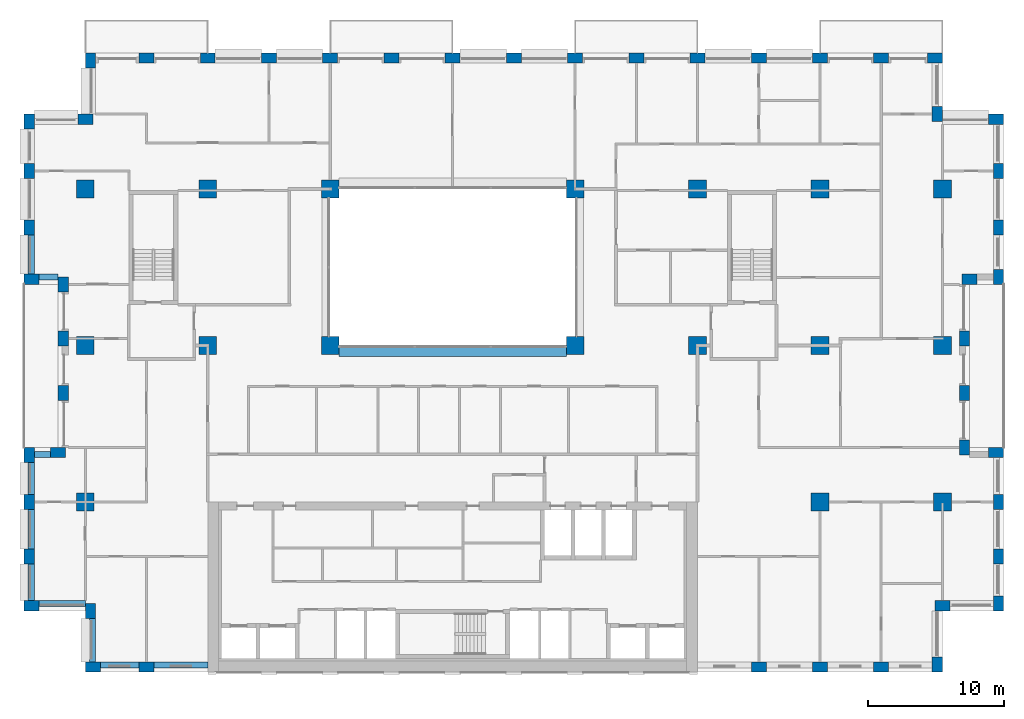
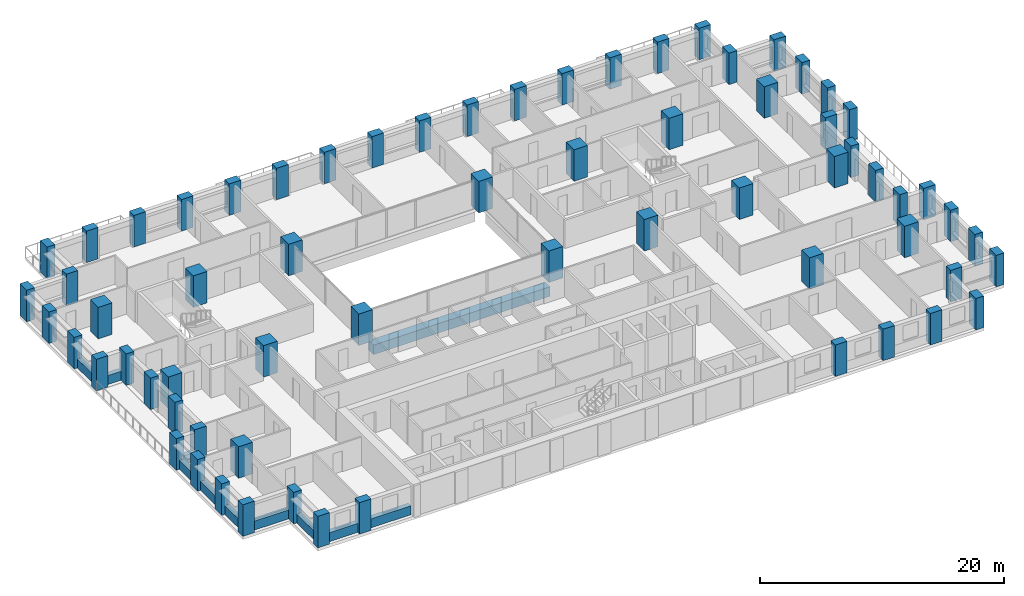
# One storey, part 1 of 16: 66 columns, 11 beams.
"""IFC4 building model written with IfcOpenShell, lengths in metres."""

from ifc_helpers import new_model, si_unit, direction, frame, origin, origin_2d, place, context, subcontext, project, spatial, rectangle, extrude, material, material_profile, profile_set, type_object, element, save


model = new_model("IFC4")

# Units and contexts
model_context = context("Model", 3, precision=1e-05, world=origin(), true_north=direction((0.0, 1.0)))
body_context = subcontext(model_context, "Body", "Model", "MODEL_VIEW")
ifc_project = project(units=[si_unit("LENGTHUNIT", "METRE"), si_unit("AREAUNIT", "SQUARE_METRE"), si_unit("VOLUMEUNIT", "CUBIC_METRE"), si_unit("PLANEANGLEUNIT", "RADIAN"), si_unit("MASSUNIT", "GRAM", prefix="KILO")], contexts=[model_context])

# Site, building, storey
site_placement = place(None, origin())
site = spatial("IfcSite", under=ifc_project, at=site_placement, CompositionType="ELEMENT")
building_placement = place(site_placement, origin())
building = spatial("IfcBuilding", under=site, at=building_placement, Name="Brigalow Station Residences", CompositionType="ELEMENT")
storey_placement = place(building_placement, frame((0.0, 0.0, 108.75)))
storey = spatial("IfcBuildingStorey", under=building, at=storey_placement, Name="L31", CompositionType="ELEMENT", Elevation=108.75)

# Columns
ifc_material_1 = material(Name="Concrete C65", Category="concrete")
ifc_material_profile_1 = material_profile(ifc_material_1, rectangle(XDim=1.300048828125, YDim=1.300048828125, at=origin_2d()), Name="RC1300x1300")
ifc_profile_set_1 = profile_set([ifc_material_profile_1], Name="Concrete C65")
column_type_1 = type_object("IfcColumnType", Name="COLUMN 1300x1300 C65", PredefinedType="COLUMN", material=ifc_profile_set_1)
for number, where, z_axis, x_axis, name in (
    (1, (9.0, 24.0, 0.0), (0.0, 0.0, 1.0), (1.0, 0.0, 0.0), "COLUMN C1 L31"),
    (2, (18.0, 24.0, 0.0), (0.0, 0.0, 1.0), (1.0, 0.0, 0.0), "COLUMN C2 L31"),
    (3, (27.0, 24.0, 0.0), (0.0, 0.0, 1.0), (1.0, 0.0, 0.0), "COLUMN C3 L31"),
    (4, (45.0, 24.0, 0.0), (0.0, 0.0, 1.0), (1.0, 0.0, 0.0), "COLUMN C5 L31"),
    (5, (54.0, 24.0, 0.0), (0.0, 0.0, 1.0), (1.0, 0.0, 0.0), "COLUMN C6 L31"),
    (6, (63.0, 24.0, 0.0), (0.0, 0.0, 1.0), (1.0, 0.0, 0.0), "COLUMN C7 L31"),
    (7, (72.0, 24.0, 0.0), (0.0, 0.0, 1.0), (1.0, 0.0, 0.0), "COLUMN C8 L31"),
    (8, (9.0, 35.5, 0.0), (0.0, 0.0, 1.0), (1.0, 0.0, 0.0), "COLUMN D1 L31"),
    (9, (18.0, 35.5, 0.0), (0.0, 0.0, 1.0), (1.0, 0.0, 0.0), "COLUMN D2 L31"),
    (10, (27.0, 35.5, 0.0), (0.0, 0.0, 1.0), (1.0, 0.0, 0.0), "COLUMN D3 L31"),
    (11, (45.0, 35.5, 0.0), (0.0, 0.0, 1.0), (1.0, 0.0, 0.0), "COLUMN D5 L31"),
    (12, (54.0, 35.5, 0.0), (0.0, 0.0, 1.0), (1.0, 0.0, 0.0), "COLUMN D6 L31"),
    (13, (63.0, 35.5, 0.0), (0.0, 0.0, 1.0), (1.0, 0.0, 0.0), "COLUMN D7 L31"),
    (14, (72.0, 35.5, 0.0), (0.0, 0.0, 1.0), (1.0, 0.0, 0.0), "COLUMN D8 L31"),
    (15, (9.0, 12.5, 0.0), (0.0, 0.0, 1.0), (1.0, 0.0, 0.0), "COLUMN B1 L31"),
    (16, (63.0, 12.5, 0.0), (0.0, 0.0, 1.0), (1.0, 0.0, 0.0), "COLUMN B7 L31"),
    (17, (72.0, 12.5, 0.0), (0.0, 0.0, 1.0), (1.0, 0.0, 0.0), "COLUMN B8 L31"),
):
    element("IfcColumn", number, at=place(storey_placement, frame(where, z_axis=z_axis, x_axis=x_axis)), inside=storey, type_object=column_type_1, Name=name, PredefinedType="COLUMN", context=body_context, shape_type="SweptSolid", body=[
        extrude(rectangle(XDim=1.300048828125, YDim=1.300048828125, at=origin_2d()), origin(), (0.0, 0.0, 1.0), 3.14990234375),
    ])
ifc_material_2 = material(Name="Concrete C65", Category="concrete")
ifc_material_profile_2 = material_profile(ifc_material_2, rectangle(XDim=1.10009765625, YDim=0.75, at=origin_2d()), Name="RC1100x750")
ifc_profile_set_2 = profile_set([ifc_material_profile_2], Name="Concrete C65")
column_type_2 = type_object("IfcColumnType", Name="PIER 1100x750 C65", PredefinedType="USERDEFINED", material=ifc_profile_set_2)
for number, where, z_axis, x_axis, name in (
    (18, (9.550048828125, 0.375, 0.0), (0.0, 0.0, 1.0), (1.0, 0.0, 0.0), "PIER S-1 L31"),
    (19, (13.5, 0.375, 0.0), (0.0, 0.0, 1.0), (1.0, 0.0, 0.0), "PIER S-2 L31"),
    (20, (58.5, 0.375, 0.0), (0.0, 0.0, 1.0), (1.0, 0.0, 0.0), "PIER S-12 L31"),
    (21, (63.0, 0.375, 0.0), (0.0, 0.0, 1.0), (1.0, 0.0, 0.0), "PIER S-13 L31"),
    (22, (67.5, 0.375, 0.0), (0.0, 0.0, 1.0), (1.0, 0.0, 0.0), "PIER S-14 L31"),
    (23, (71.625, 0.550048828125, 0.0), (0.0, 0.0, 1.0), (0.0, 1.0, 0.0), "PIER SE1-1 L31"),
    (24, (72.0, 4.875, 0.0), (0.0, 0.0, 1.0), (1.0, 0.0, 0.0), "PIER SE2-1 L31"),
    (25, (76.125, 5.050048828125, 0.0), (0.0, 0.0, 1.0), (0.0, 1.0, 0.0), "PIER E1-1 L31"),
    (26, (76.125, 8.5, 0.0), (0.0, 0.0, 1.0), (0.0, 1.0, 0.0), "PIER E1-2 L31"),
    (27, (76.125, 12.5, 0.0), (0.0, 0.0, 1.0), (0.0, 1.0, 0.0), "PIER E1-3 L31"),
    (28, (75.949951171875, 16.125, 0.0), (0.0, 0.0, 1.0), (-1.0, 0.0, 0.0), "PIER EL1-1 L31"),
    (29, (73.625, 16.5, 0.0), (0.0, 0.0, 1.0), (0.0, 1.0, 0.0), "PIER EL2-1 L31"),
    (30, (73.625, 20.5, 0.0), (0.0, 0.0, 1.0), (0.0, 1.0, 0.0), "PIER EL2-2 L31"),
    (31, (73.625, 24.5, 0.0), (0.0, 0.0, 1.0), (0.0, 1.0, 0.0), "PIER EL2-3 L31"),
    (32, (74.0, 28.875, 0.0), (0.0, 0.0, 1.0), (1.0, 0.0, 0.0), "PIER EL3-1 L31"),
    (33, (76.125, 29.050048828125, 0.0), (0.0, 0.0, 1.0), (0.0, 1.0, 0.0), "PIER E2-1 L31"),
    (34, (76.125, 32.6669921875, 0.0), (0.0, 0.0, 1.0), (0.0, 1.0, 0.0), "PIER E2-2 L31"),
    (35, (76.125, 36.8330078125, 0.0), (0.0, 0.0, 1.0), (0.0, 1.0, 0.0), "PIER E2-3 L31"),
    (36, (75.949951171875, 40.625, 0.0), (0.0, 0.0, 1.0), (-1.0, 0.0, 0.0), "PIER NE1-1 L31"),
    (37, (71.625, 41.0, 0.0), (0.0, 0.0, 1.0), (0.0, 1.0, 0.0), "PIER NE2-1 L31"),
    (38, (71.449951171875, 45.125, 0.0), (0.0, 0.0, 1.0), (-1.0, 0.0, 0.0), "PIER N-1 L31"),
    (39, (67.5, 45.125, 0.0), (0.0, 0.0, 1.0), (-1.0, 0.0, 0.0), "PIER N-2 L31"),
    (40, (63.0, 45.125, 0.0), (0.0, 0.0, 1.0), (-1.0, 0.0, 0.0), "PIER N-3 L31"),
    (41, (58.5, 45.125, 0.0), (0.0, 0.0, 1.0), (-1.0, 0.0, 0.0), "PIER N-4 L31"),
    (42, (54.0, 45.125, 0.0), (0.0, 0.0, 1.0), (-1.0, 0.0, 0.0), "PIER N-5 L31"),
    (43, (49.5, 45.125, 0.0), (0.0, 0.0, 1.0), (-1.0, 0.0, 0.0), "PIER N-6 L31"),
    (44, (45.0, 45.125, 0.0), (0.0, 0.0, 1.0), (-1.0, 0.0, 0.0), "PIER N-7 L31"),
    (45, (40.5, 45.125, 0.0), (0.0, 0.0, 1.0), (-1.0, 0.0, 0.0), "PIER N-8 L31"),
    (46, (36.0, 45.125, 0.0), (0.0, 0.0, 1.0), (-1.0, 0.0, 0.0), "PIER N-9 L31"),
    (47, (31.5, 45.125, 0.0), (0.0, 0.0, 1.0), (-1.0, 0.0, 0.0), "PIER N-10 L31"),
    (48, (27.0, 45.125, 0.0), (0.0, 0.0, 1.0), (-1.0, 0.0, 0.0), "PIER N-11 L31"),
    (49, (22.5, 45.125, 0.0), (0.0, 0.0, 1.0), (-1.0, 0.0, 0.0), "PIER N-12 L31"),
    (50, (18.0, 45.125, 0.0), (0.0, 0.0, 1.0), (-1.0, 0.0, 0.0), "PIER N-13 L31"),
    (51, (13.5, 45.125, 0.0), (0.0, 0.0, 1.0), (-1.0, 0.0, 0.0), "PIER N-14 L31"),
    (52, (9.375, 44.949951171875, 0.0), (0.0, 0.0, 1.0), (0.0, -1.0, 0.0), "PIER NW1-1 L31"),
    (53, (9.0, 40.625, 0.0), (0.0, 0.0, 1.0), (-1.0, 0.0, 0.0), "PIER NW2-1 L31"),
    (54, (4.875, 40.449951171875, 0.0), (0.0, 0.0, 1.0), (0.0, -1.0, 0.0), "PIER W2-1 L31"),
    (55, (4.875, 36.8330078125, 0.0), (0.0, 0.0, 1.0), (0.0, -1.0, 0.0), "PIER W2-2 L31"),
    (56, (4.875, 32.6669921875, 0.0), (0.0, 0.0, 1.0), (0.0, -1.0, 0.0), "PIER W2-3 L31"),
    (57, (5.050048828125, 28.875, 0.0), (0.0, 0.0, 1.0), (1.0, 0.0, 0.0), "PIER WL1-1 L31"),
    (58, (7.375, 28.5, 0.0), (0.0, 0.0, 1.0), (0.0, -1.0, 0.0), "PIER WL2-1 L31"),
    (59, (7.375, 24.5, 0.0), (0.0, 0.0, 1.0), (0.0, -1.0, 0.0), "PIER WL2-2 L31"),
    (60, (7.375, 20.5, 0.0), (0.0, 0.0, 1.0), (0.0, -1.0, 0.0), "PIER WL2-3 L31"),
    (61, (7.0, 16.125, 0.0), (0.0, 0.0, 1.0), (-1.0, 0.0, 0.0), "PIER WL3-1 L31"),
    (62, (4.875, 15.949951171875, 0.0), (0.0, 0.0, 1.0), (0.0, -1.0, 0.0), "PIER W1-1 L31"),
    (63, (4.875, 12.5, 0.0), (0.0, 0.0, 1.0), (0.0, -1.0, 0.0), "PIER W1-2 L31"),
    (64, (4.875, 8.5, 0.0), (0.0, 0.0, 1.0), (0.0, -1.0, 0.0), "PIER W1-3 L31"),
    (65, (5.050048828125, 4.875, 0.0), (0.0, 0.0, 1.0), (1.0, 0.0, 0.0), "PIER SW1-1 L31"),
    (66, (9.375, 4.5, 0.0), (0.0, 0.0, 1.0), (0.0, -1.0, 0.0), "PIER SW2-1 L31"),
):
    element("IfcColumn", number, at=place(storey_placement, frame(where, z_axis=z_axis, x_axis=x_axis)), inside=storey, type_object=column_type_2, Name=name, ObjectType="PIER", PredefinedType="USERDEFINED", context=body_context, shape_type="SweptSolid", body=[
        extrude(rectangle(XDim=1.10009765625, YDim=0.75, at=origin_2d()), origin(), (0.0, 0.0, 1.0), 3.14990234375),
    ])

# Beams
ifc_material_3 = material(Name="Concrete C65", Category="concrete")
ifc_material_profile_3 = material_profile(ifc_material_3, rectangle(XDim=0.800048828125, YDim=0.949951171875, at=origin_2d()), Name="RC800x950")
ifc_profile_set_3 = profile_set([ifc_material_profile_3], Name="Concrete C65")
beam_type_1 = type_object("IfcBeamType", Name="ATRIUM EDGE GIRDER OVER 13.5 M SPAN 800x950 C65", PredefinedType="BEAM", material=ifc_profile_set_3)
beam_1_placement = place(storey_placement, frame((27.64990234375, 23.60009765625, -0.794921875), z_axis=(1.0, 0.0, 0.0), x_axis=(0.0, 1.0, 0.0)))
element("IfcBeam", 67, at=beam_1_placement, inside=storey, type_object=beam_type_1, Name="ATRIUM EDGE GIRDER C L31", PredefinedType="BEAM", context=body_context, shape_type="SweptSolid", body=[
    extrude(rectangle(XDim=0.800048828125, YDim=0.949951171875, at=origin_2d()), origin(), (0.0, 0.0, 1.0), 16.7001953125),
])
ifc_material_4 = material(Name="Concrete C65", Category="concrete")
ifc_material_profile_4 = material_profile(ifc_material_4, rectangle(XDim=0.449951171875, YDim=0.89990234375, at=origin_2d()), Name="RC450x900")
ifc_profile_set_4 = profile_set([ifc_material_profile_4], Name="Concrete C65")
beam_type_2 = type_object("IfcBeamType", Name="SPANDREL BEAM 450x900 C65", PredefinedType="SPANDREL", material=ifc_profile_set_4)
beam_2_placement = place(storey_placement, frame((10.10009765625, 0.52490234375, 0.449951171875), z_axis=(1.0, 0.0, 0.0), x_axis=(0.0, 1.0, 0.0)))
element("IfcBeam", 68, at=beam_2_placement, inside=storey, type_object=beam_type_2, Name="L31/spandrel/W-L31-1", PredefinedType="SPANDREL", context=body_context, shape_type="SweptSolid", body=[
    extrude(rectangle(XDim=0.449951171875, YDim=0.89990234375, at=origin_2d()), origin(), (0.0, 0.0, 1.0), 2.849853515625),
])
beam_3_placement = place(storey_placement, frame((14.050048828125, 0.52490234375, 0.449951171875), z_axis=(1.0, 0.0, 0.0), x_axis=(0.0, 1.0, 0.0)))
element("IfcBeam", 69, at=beam_3_placement, inside=storey, type_object=beam_type_2, Name="L31/spandrel/W-L31-2", PredefinedType="SPANDREL", context=body_context, shape_type="SweptSolid", body=[
    extrude(rectangle(XDim=0.449951171875, YDim=0.89990234375, at=origin_2d()), origin(), (0.0, 0.0, 1.0), 3.949951171875),
])
beam_4_placement = place(storey_placement, frame((5.02490234375, 32.116943359375, 0.449951171875), z_axis=(0.0, -1.0, 0.0), x_axis=(1.0, 0.0, 0.0)))
element("IfcBeam", 70, at=beam_4_placement, inside=storey, type_object=beam_type_2, Name="L31/spandrel/W-L31-41", PredefinedType="SPANDREL", context=body_context, shape_type="SweptSolid", body=[
    extrude(rectangle(XDim=0.449951171875, YDim=0.89990234375, at=origin_2d()), origin(), (0.0, 0.0, 1.0), 2.866943359375),
])
beam_5_placement = place(storey_placement, frame((5.60009765625, 29.02490234375, 0.449951171875), z_axis=(1.0, 0.0, 0.0), x_axis=(0.0, 1.0, 0.0)))
element("IfcBeam", 71, at=beam_5_placement, inside=storey, type_object=beam_type_2, Name="L31/spandrel/W-L31-42", PredefinedType="SPANDREL", context=body_context, shape_type="SweptSolid", body=[
    extrude(rectangle(XDim=0.449951171875, YDim=0.89990234375, at=origin_2d()), origin(), (0.0, 0.0, 1.0), 1.39990234375),
])
beam_6_placement = place(storey_placement, frame((6.449951171875, 15.97509765625, 0.449951171875), z_axis=(-1.0, 0.0, 0.0), x_axis=(0.0, -1.0, 0.0)))
element("IfcBeam", 72, at=beam_6_placement, inside=storey, type_object=beam_type_2, Name="L31/spandrel/W-L31-46", PredefinedType="SPANDREL", context=body_context, shape_type="SweptSolid", body=[
    extrude(rectangle(XDim=0.449951171875, YDim=0.89990234375, at=origin_2d()), origin(), (0.0, 0.0, 1.0), 1.199951171875),
])
beam_7_placement = place(storey_placement, frame((5.02490234375, 15.39990234375, 0.449951171875), z_axis=(0.0, -1.0, 0.0), x_axis=(1.0, 0.0, 0.0)))
element("IfcBeam", 73, at=beam_7_placement, inside=storey, type_object=beam_type_2, Name="L31/spandrel/W-L31-47", PredefinedType="SPANDREL", context=body_context, shape_type="SweptSolid", body=[
    extrude(rectangle(XDim=0.449951171875, YDim=0.89990234375, at=origin_2d()), origin(), (0.0, 0.0, 1.0), 2.349853515625),
])
beam_8_placement = place(storey_placement, frame((5.02490234375, 11.949951171875, 0.449951171875), z_axis=(0.0, -1.0, 0.0), x_axis=(1.0, 0.0, 0.0)))
element("IfcBeam", 74, at=beam_8_placement, inside=storey, type_object=beam_type_2, Name="L31/spandrel/W-L31-48", PredefinedType="SPANDREL", context=body_context, shape_type="SweptSolid", body=[
    extrude(rectangle(XDim=0.449951171875, YDim=0.89990234375, at=origin_2d()), origin(), (0.0, 0.0, 1.0), 2.89990234375),
])
beam_9_placement = place(storey_placement, frame((5.02490234375, 7.949951171875, 0.449951171875), z_axis=(0.0, -1.0, 0.0), x_axis=(1.0, 0.0, 0.0)))
element("IfcBeam", 75, at=beam_9_placement, inside=storey, type_object=beam_type_2, Name="L31/spandrel/W-L31-49", PredefinedType="SPANDREL", context=body_context, shape_type="SweptSolid", body=[
    extrude(rectangle(XDim=0.449951171875, YDim=0.89990234375, at=origin_2d()), origin(), (0.0, 0.0, 1.0), 2.699951171875),
])
beam_10_placement = place(storey_placement, frame((5.60009765625, 5.02490234375, 0.449951171875), z_axis=(1.0, 0.0, 0.0), x_axis=(0.0, 1.0, 0.0)))
element("IfcBeam", 76, at=beam_10_placement, inside=storey, type_object=beam_type_2, Name="L31/spandrel/W-L31-50", PredefinedType="SPANDREL", context=body_context, shape_type="SweptSolid", body=[
    extrude(rectangle(XDim=0.449951171875, YDim=0.89990234375, at=origin_2d()), origin(), (0.0, 0.0, 1.0), 3.39990234375),
])
beam_11_placement = place(storey_placement, frame((9.52490234375, 3.949951171875, 0.449951171875), z_axis=(0.0, -1.0, 0.0), x_axis=(1.0, 0.0, 0.0)))
element("IfcBeam", 77, at=beam_11_placement, inside=storey, type_object=beam_type_2, Name="L31/spandrel/W-L31-51", PredefinedType="SPANDREL", context=body_context, shape_type="SweptSolid", body=[
    extrude(rectangle(XDim=0.449951171875, YDim=0.89990234375, at=origin_2d()), origin(), (0.0, 0.0, 1.0), 3.199951171875),
])

save(model, "model.ifc")
